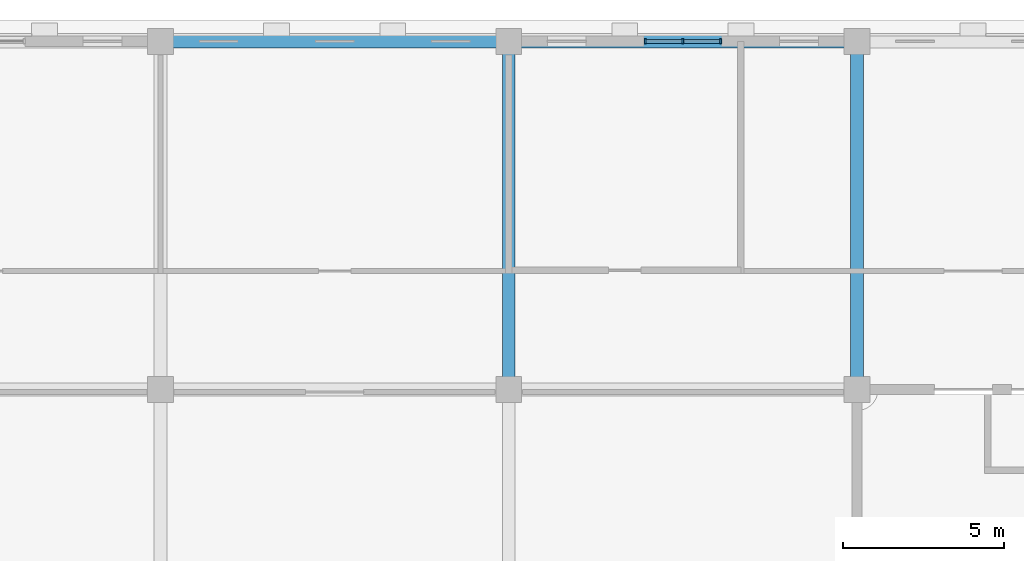
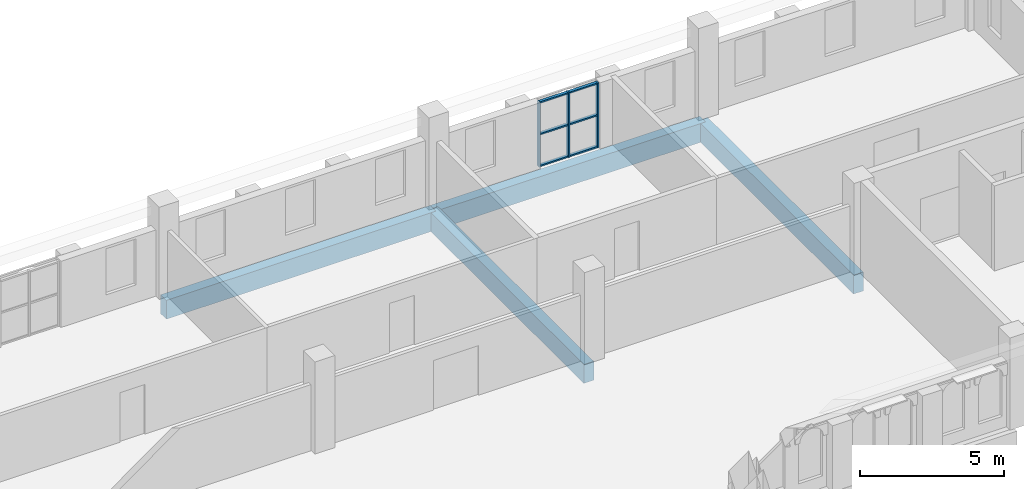
# One storey, part 15 of 42: 9 members, 4 beams, 1 element without a shape of its own.
"""IFC4 building model written with IfcOpenShell, lengths in metres."""

from ifc_helpers import new_model, si_unit, direction, frame, origin, origin_2d, place, context, subcontext, project, spatial, rectangle, extrude, material, layer, layer_set, material_profile, profile_set, type_object, element, aggregate, save


model = new_model("IFC4")

# Units and contexts
model_context = context("Model", 3, precision=1e-05, world=origin(), true_north=direction((0.0, 1.0)))
body_context = subcontext(model_context, "Body", "Model", "MODEL_VIEW")
ifc_project = project(units=[si_unit("LENGTHUNIT", "METRE"), si_unit("AREAUNIT", "SQUARE_METRE"), si_unit("VOLUMEUNIT", "CUBIC_METRE"), si_unit("PLANEANGLEUNIT", "RADIAN"), si_unit("MASSUNIT", "GRAM", prefix="KILO")], contexts=[model_context])

# Site, building, storey
site_placement = place(None, origin())
site = spatial("IfcSite", under=ifc_project, at=site_placement, CompositionType="ELEMENT")
building_placement = place(site_placement, origin())
building = spatial("IfcBuilding", under=site, at=building_placement, Name="Magnolia Steps Interchange", CompositionType="ELEMENT")
storey_placement = place(building_placement, frame((0.0, 0.0, 12.60009765625)))
storey = spatial("IfcBuildingStorey", under=building, at=storey_placement, Name="L03", CompositionType="ELEMENT", Elevation=12.60009765625)

# Curtain wall, members
ifc_material_1 = material(Name="Powder-coated aluminium and glass", Category="aluminium")
ifc_layer = layer(ifc_material_1, 0.199951171875)
ifc_layer_set = layer_set([ifc_layer], Name="Glazed central bay curtain wall")
curtain_wall_type = type_object("IfcCurtainWallType", Name="Glazed central bay curtain wall", PredefinedType="NOTDEFINED", material=ifc_layer_set)
curtain_wall_placement = place(storey_placement, origin())
curtain_wall = element("IfcCurtainWall", 1, at=curtain_wall_placement, inside=storey, type_object=curtain_wall_type, Name="Operations building north wall L03 glazing 4", PredefinedType="NOTDEFINED")
ifc_material_2 = material(Name="White powder-coated aluminium", Category="aluminium")
ifc_material_profile_1 = material_profile(ifc_material_2, rectangle(XDim=0.06005859375, YDim=0.14990234375, at=origin_2d()), Name="Aluminium mullion 60 x 150")
ifc_profile_set_1 = profile_set([ifc_material_profile_1], Name="White powder-coated aluminium")
member_type_1 = type_object("IfcMemberType", Name="Aluminium mullion 60 x 150", PredefinedType="MULLION", material=ifc_profile_set_1)
member_1_placement = place(storey_placement, frame((100.6298828125, 118.0, 0.0), z_axis=(0.0, 0.0, 1.0), x_axis=(1.0, 0.0, 0.0)))
member_1 = element("IfcMember", 2, at=member_1_placement, type_object=member_type_1, Name="CW2 mullion 1", PredefinedType="MULLION", context=body_context, shape_type="SweptSolid", body=[
    extrude(rectangle(XDim=0.06005859375, YDim=0.14990234375, at=origin_2d()), origin(), (0.0, 0.0, 1.0), 2.75),
])
member_2_placement = place(storey_placement, frame((101.800048828125, 118.0, 0.0), z_axis=(0.0, 0.0, 1.0), x_axis=(1.0, 0.0, 0.0)))
member_2 = element("IfcMember", 3, at=member_2_placement, type_object=member_type_1, Name="CW2 mullion 2", PredefinedType="MULLION", context=body_context, shape_type="SweptSolid", body=[
    extrude(rectangle(XDim=0.06005859375, YDim=0.14990234375, at=origin_2d()), origin(), (0.0, 0.0, 1.0), 2.75),
])
member_3_placement = place(storey_placement, frame((102.969970703125, 118.0, 0.0), z_axis=(0.0, 0.0, 1.0), x_axis=(1.0, 0.0, 0.0)))
member_3 = element("IfcMember", 4, at=member_3_placement, type_object=member_type_1, Name="CW2 mullion 3", PredefinedType="MULLION", context=body_context, shape_type="SweptSolid", body=[
    extrude(rectangle(XDim=0.06005859375, YDim=0.14990234375, at=origin_2d()), origin(), (0.0, 0.0, 1.0), 2.75),
])
ifc_material_3 = material(Name="White powder-coated aluminium", Category="aluminium")
ifc_material_profile_2 = material_profile(ifc_material_3, rectangle(XDim=0.06005859375, YDim=0.1201171875, at=origin_2d()), Name="Aluminium transom 60 x 120")
ifc_profile_set_2 = profile_set([ifc_material_profile_2], Name="White powder-coated aluminium")
member_type_2 = type_object("IfcMemberType", Name="Aluminium transom 60 x 120", PredefinedType="USERDEFINED", material=ifc_profile_set_2)
member_4_placement = place(storey_placement, frame((100.659912109375, 118.0, 0.02978515625), z_axis=(1.0, 0.0, 0.0), x_axis=(0.0, 0.0, 1.0)))
member_4 = element("IfcMember", 5, at=member_4_placement, type_object=member_type_2, Name="CW2 transom 1.1", ObjectType="TRANSOM", PredefinedType="USERDEFINED", context=body_context, shape_type="SweptSolid", body=[
    extrude(rectangle(XDim=0.06005859375, YDim=0.1201171875, at=origin_2d()), origin(), (0.0, 0.0, 1.0), 1.110107421875),
])
member_5_placement = place(storey_placement, frame((100.659912109375, 118.0, 1.375), z_axis=(1.0, 0.0, 0.0), x_axis=(0.0, 0.0, 1.0)))
member_5 = element("IfcMember", 6, at=member_5_placement, type_object=member_type_2, Name="CW2 transom 1.2", ObjectType="TRANSOM", PredefinedType="USERDEFINED", context=body_context, shape_type="SweptSolid", body=[
    extrude(rectangle(XDim=0.06005859375, YDim=0.1201171875, at=origin_2d()), origin(), (0.0, 0.0, 1.0), 1.110107421875),
])
member_6_placement = place(storey_placement, frame((100.659912109375, 118.0, 2.719970703125), z_axis=(1.0, 0.0, 0.0), x_axis=(0.0, 0.0, 1.0)))
member_6 = element("IfcMember", 7, at=member_6_placement, type_object=member_type_2, Name="CW2 transom 1.3", ObjectType="TRANSOM", PredefinedType="USERDEFINED", context=body_context, shape_type="SweptSolid", body=[
    extrude(rectangle(XDim=0.06005859375, YDim=0.1201171875, at=origin_2d()), origin(), (0.0, 0.0, 1.0), 1.110107421875),
])
member_7_placement = place(storey_placement, frame((101.830078125, 118.0, 0.02978515625), z_axis=(1.0, 0.0, 0.0), x_axis=(0.0, 0.0, 1.0)))
member_7 = element("IfcMember", 8, at=member_7_placement, type_object=member_type_2, Name="CW2 transom 2.1", ObjectType="TRANSOM", PredefinedType="USERDEFINED", context=body_context, shape_type="SweptSolid", body=[
    extrude(rectangle(XDim=0.06005859375, YDim=0.1201171875, at=origin_2d()), origin(), (0.0, 0.0, 1.0), 1.10986328125),
])
member_8_placement = place(storey_placement, frame((101.830078125, 118.0, 1.375), z_axis=(1.0, 0.0, 0.0), x_axis=(0.0, 0.0, 1.0)))
member_8 = element("IfcMember", 9, at=member_8_placement, type_object=member_type_2, Name="CW2 transom 2.2", ObjectType="TRANSOM", PredefinedType="USERDEFINED", context=body_context, shape_type="SweptSolid", body=[
    extrude(rectangle(XDim=0.06005859375, YDim=0.1201171875, at=origin_2d()), origin(), (0.0, 0.0, 1.0), 1.10986328125),
])
member_9_placement = place(storey_placement, frame((101.830078125, 118.0, 2.719970703125), z_axis=(1.0, 0.0, 0.0), x_axis=(0.0, 0.0, 1.0)))
member_9 = element("IfcMember", 10, at=member_9_placement, type_object=member_type_2, Name="CW2 transom 2.3", ObjectType="TRANSOM", PredefinedType="USERDEFINED", context=body_context, shape_type="SweptSolid", body=[
    extrude(rectangle(XDim=0.06005859375, YDim=0.1201171875, at=origin_2d()), origin(), (0.0, 0.0, 1.0), 1.10986328125),
])
aggregate(curtain_wall, [member_1, member_2, member_3, member_4, member_5, member_6, member_7, member_8, member_9])

# Beams
ifc_material_4 = material(Name="Concrete C40", Category="concrete")
ifc_material_profile_3 = material_profile(ifc_material_4, rectangle(XDim=0.39990234375, YDim=0.800048828125, at=origin_2d()), Name="RC400x800")
ifc_profile_set_3 = profile_set([ifc_material_profile_3], Name="Concrete C40")
beam_type = type_object("IfcBeamType", Name="RC beam 400x800", PredefinedType="BEAM", material=ifc_profile_set_3)
beam_placement = place(storey_placement, frame((85.60009765625, 118.0, -0.7001953125), z_axis=(1.0, 0.0, 0.0), x_axis=(0.0, 1.0, 0.0)))
element("IfcBeam", 11, at=beam_placement, inside=storey, type_object=beam_type, Name="Beam L03 K 8-9", PredefinedType="BEAM", context=body_context, shape_type="SweptSolid", body=[
    extrude(rectangle(XDim=0.39990234375, YDim=0.800048828125, at=origin_2d()), origin(), (0.0, 0.0, 1.0), 10.7998046875),
])
for number, where, z_axis, x_axis, name in (
    (12, (96.39990234375, 118.0, -0.7001953125), (1.0, 0.0, 0.0), (0.0, 1.0, 0.0), "Beam L03 K 9-10"),
    (13, (107.199951171875, 107.199951171875, -0.7001953125), (0.0, 1.0, 0.0), (-1.0, 0.0, 0.0), "Beam L03 10 J-K"),
    (14, (96.39990234375, 107.199951171875, -0.7001953125), (0.0, 1.0, 0.0), (-1.0, 0.0, 0.0), "Beam L03 9 J-K"),
):
    element("IfcBeam", number, at=place(storey_placement, frame(where, z_axis=z_axis, x_axis=x_axis)), inside=storey, type_object=beam_type, Name=name, PredefinedType="BEAM", context=body_context, shape_type="SweptSolid", body=[
        extrude(rectangle(XDim=0.39990234375, YDim=0.800048828125, at=origin_2d()), origin(), (0.0, 0.0, 1.0), 10.800048828125),
    ])

save(model, "model.ifc")
